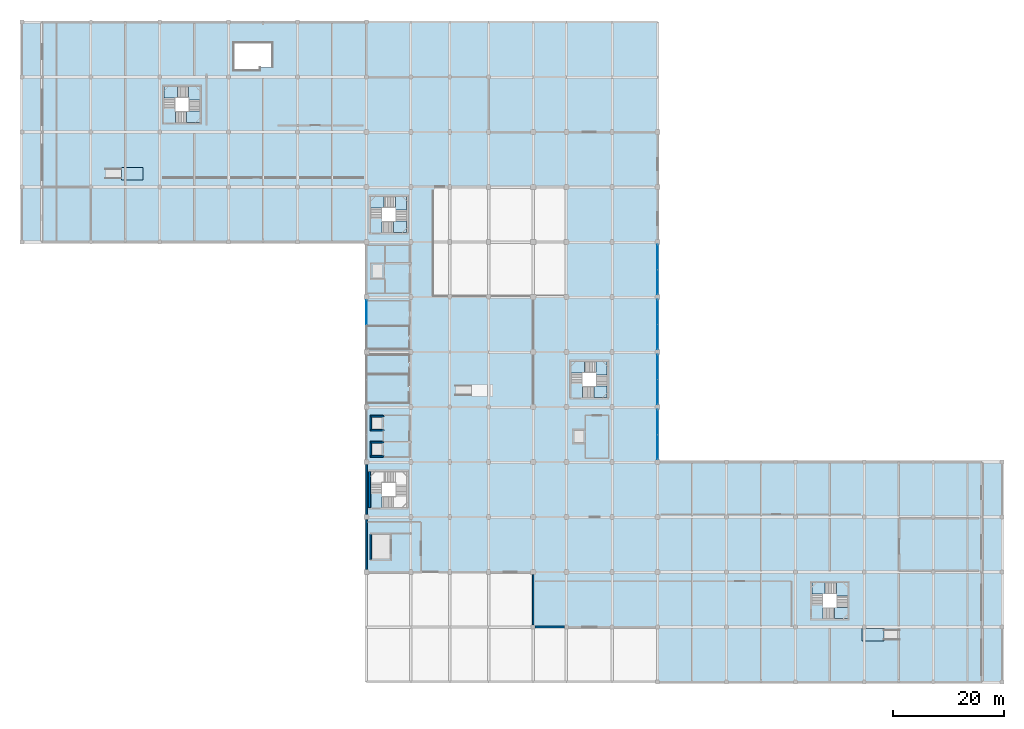
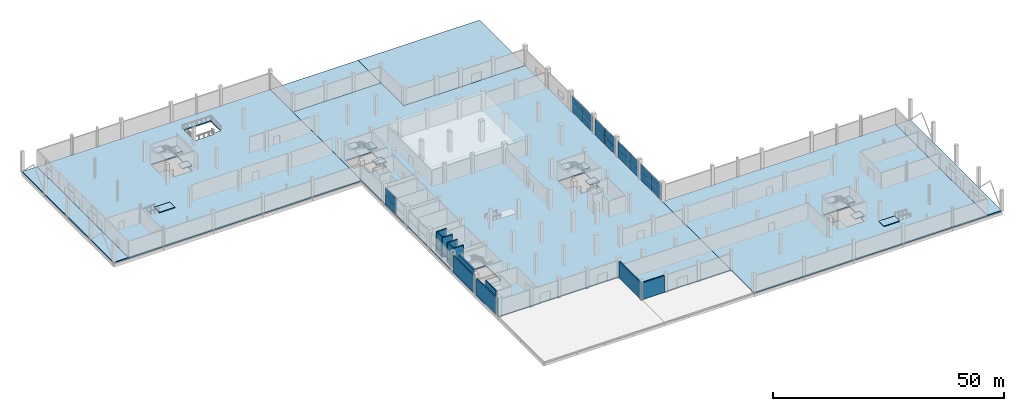
# One storey, part 19 of 50: 21 slabs, 18 plates, 12 walls, 9 elements without a shape of their own.
"""IFC4 building model written with IfcOpenShell, lengths in metres."""

from ifc_helpers import new_model, si_unit, direction, frame, frame_2d, origin, origin_2d, place, context, subcontext, project, spatial, polyline, rectangle, outline, extrude, material, layer, layer_set, type_object, element, aggregate, save


model = new_model("IFC4")

# Units and contexts
model_context = context("Model", 3, precision=1e-05, world=origin(), true_north=direction((0.0, 1.0)))
body_context = subcontext(model_context, "Body", "Model", "MODEL_VIEW")
ifc_project = project(units=[si_unit("LENGTHUNIT", "METRE"), si_unit("AREAUNIT", "SQUARE_METRE"), si_unit("VOLUMEUNIT", "CUBIC_METRE"), si_unit("PLANEANGLEUNIT", "RADIAN"), si_unit("MASSUNIT", "GRAM", prefix="KILO")], contexts=[model_context])

# Site, building, storey
site_placement = place(None, origin())
site = spatial("IfcSite", under=ifc_project, at=site_placement, CompositionType="ELEMENT")
building_placement = place(site_placement, origin())
building = spatial("IfcBuilding", under=site, at=building_placement, Name="Sillaruma Civic Art Gallery", CompositionType="ELEMENT")
storey_placement = place(building_placement, origin())
storey = spatial("IfcBuildingStorey", under=building, at=storey_placement, Name="L00", CompositionType="ELEMENT", Elevation=0.0)

# Curtain wall, plates
ifc_material_1 = material(Name="Thermally Broken Extruded Aluminium 6063-T6", Category="aluminium")
ifc_layer_1 = layer(ifc_material_1, 0.159912109375, Name="Thermally Broken Extruded Aluminium 6063-T6")
ifc_layer_set_1 = layer_set([ifc_layer_1], Name="Thermally Broken Extruded Aluminium 6063-T6")
curtain_wall_type_1 = type_object("IfcCurtainWallType", Name="CW-UNI-04", PredefinedType="NOTDEFINED", material=ifc_layer_set_1)
curtain_wall_1_placement = place(storey_placement, origin())
curtain_wall_1 = element("IfcCurtainWall", 1, at=curtain_wall_1_placement, inside=storey, type_object=curtain_wall_type_1, Name="Unitised Curtain Wall CW-04 (CW-L00-SPE-4)", PredefinedType="NOTDEFINED")
ifc_material_2 = material(Name="Low-E UV-Filtered Laminated Insulating Glass", Category="glass")
ifc_layer_2 = layer(ifc_material_2, 0.030029296875, Name="Low-E UV-Filtered Laminated Insulating Glass")
ifc_layer_set_2 = layer_set([ifc_layer_2], Name="Low-E UV-Filtered Laminated Insulating Glass")
plate_type_1 = type_object("IfcPlateType", Name="PNL-GLZ-30", PredefinedType="CURTAIN_PANEL", material=ifc_layer_set_2)
plate_1_placement = place(storey_placement, frame((114.39990234375, 52.21630859375, 0.06005859375), z_axis=(0.0, 0.0, 1.0), x_axis=(0.0, 1.0, 0.0)))
plate_1 = element("IfcPlate", 2, at=plate_1_placement, type_object=plate_type_1, Name="CW-04 panel 1.1", PredefinedType="CURTAIN_PANEL", context=body_context, shape_type="SweptSolid", body=[
    extrude(rectangle(XDim=4.402587890625, YDim=0.030029296875, at=origin_2d()), origin(), (0.0, 0.0, 1.0), 1.93408203125),
])
plate_2_placement = place(storey_placement, frame((114.39990234375, 52.21630859375, 2.05419921875), z_axis=(0.0, 0.0, 1.0), x_axis=(0.0, 1.0, 0.0)))
plate_2 = element("IfcPlate", 3, at=plate_2_placement, type_object=plate_type_1, Name="CW-04 panel 1.2", PredefinedType="CURTAIN_PANEL", context=body_context, shape_type="SweptSolid", body=[
    extrude(rectangle(XDim=4.402587890625, YDim=0.030029296875, at=origin_2d()), origin(), (0.0, 0.0, 1.0), 2.285888671875),
])
plate_3_placement = place(storey_placement, frame((114.39990234375, 56.683837890625, 0.06005859375), z_axis=(0.0, 0.0, 1.0), x_axis=(0.0, 1.0, 0.0)))
plate_3 = element("IfcPlate", 4, at=plate_3_placement, type_object=plate_type_1, Name="CW-04 panel 2.1", PredefinedType="CURTAIN_PANEL", context=body_context, shape_type="SweptSolid", body=[
    extrude(rectangle(XDim=4.402587890625, YDim=0.030029296875, at=origin_2d()), origin(), (0.0, 0.0, 1.0), 1.93408203125),
])
plate_4_placement = place(storey_placement, frame((114.39990234375, 56.683837890625, 2.05419921875), z_axis=(0.0, 0.0, 1.0), x_axis=(0.0, 1.0, 0.0)))
plate_4 = element("IfcPlate", 5, at=plate_4_placement, type_object=plate_type_1, Name="CW-04 panel 2.2", PredefinedType="CURTAIN_PANEL", context=body_context, shape_type="SweptSolid", body=[
    extrude(rectangle(XDim=4.402587890625, YDim=0.030029296875, at=origin_2d()), origin(), (0.0, 0.0, 1.0), 2.285888671875),
])
aggregate(curtain_wall_1, [plate_1, plate_2, plate_3, plate_4])

curtain_wall_2_placement = place(storey_placement, origin())
curtain_wall_2 = element("IfcCurtainWall", 6, at=curtain_wall_2_placement, inside=storey, type_object=curtain_wall_type_1, Name="Unitised Curtain Wall CW-04 (CW-L00-SPW-5)", PredefinedType="NOTDEFINED")
plate_5_placement = place(storey_placement, frame((62.0, 66.5712890625, 0.06005859375), z_axis=(0.0, 0.0, 1.0), x_axis=(0.0, 1.0, 0.0)))
plate_5 = element("IfcPlate", 7, at=plate_5_placement, type_object=plate_type_1, Name="CW-04 panel 2.1", PredefinedType="CURTAIN_PANEL", context=body_context, shape_type="SweptSolid", body=[
    extrude(rectangle(XDim=4.37744140625, YDim=0.030029296875, at=origin_2d()), origin(), (0.0, 0.0, 1.0), 1.93408203125),
])
plate_6_placement = place(storey_placement, frame((62.0, 66.5712890625, 2.05419921875), z_axis=(0.0, 0.0, 1.0), x_axis=(0.0, 1.0, 0.0)))
plate_6 = element("IfcPlate", 8, at=plate_6_placement, type_object=plate_type_1, Name="CW-04 panel 2.2", PredefinedType="CURTAIN_PANEL", context=body_context, shape_type="SweptSolid", body=[
    extrude(rectangle(XDim=4.37744140625, YDim=0.030029296875, at=origin_2d()), origin(), (0.0, 0.0, 1.0), 2.285888671875),
])
aggregate(curtain_wall_2, [plate_5, plate_6])

ifc_layer_3 = layer(ifc_material_1, 0.139892578125, Name="Thermally Broken Extruded Aluminium 6063-T6")
ifc_layer_set_3 = layer_set([ifc_layer_3], Name="Thermally Broken Extruded Aluminium 6063-T6")
curtain_wall_type_2 = type_object("IfcCurtainWallType", Name="CW-UNI-05", PredefinedType="NOTDEFINED", material=ifc_layer_set_3)
curtain_wall_3_placement = place(storey_placement, origin())
curtain_wall_3 = element("IfcCurtainWall", 9, at=curtain_wall_3_placement, inside=storey, type_object=curtain_wall_type_2, Name="Unitised Curtain Wall CW-05 (CW-L00-SPE-5)", PredefinedType="NOTDEFINED")
ifc_layer_4 = layer(ifc_material_2, 0.033935546875, Name="Low-E UV-Filtered Laminated Insulating Glass")
ifc_layer_set_4 = layer_set([ifc_layer_4], Name="Low-E UV-Filtered Laminated Insulating Glass")
plate_type_2 = type_object("IfcPlateType", Name="PNL-GLZ-34", PredefinedType="CURTAIN_PANEL", material=ifc_layer_set_4)
plate_7_placement = place(storey_placement, frame((114.39990234375, 62.114990234375, 0.06494140625), z_axis=(0.0, 0.0, 1.0), x_axis=(0.0, 1.0, 0.0)))
plate_7 = element("IfcPlate", 10, at=plate_7_placement, type_object=plate_type_2, Name="CW-05 panel 1.1", PredefinedType="CURTAIN_PANEL", context=body_context, shape_type="SweptSolid", body=[
    extrude(rectangle(XDim=4.409912109375, YDim=0.033935546875, at=origin_2d()), origin(), (0.0, 0.0, 1.0), 1.926513671875),
])
plate_8_placement = place(storey_placement, frame((114.39990234375, 62.114990234375, 2.056640625), z_axis=(0.0, 0.0, 1.0), x_axis=(0.0, 1.0, 0.0)))
plate_8 = element("IfcPlate", 11, at=plate_8_placement, type_object=plate_type_2, Name="CW-05 panel 1.2", PredefinedType="CURTAIN_PANEL", context=body_context, shape_type="SweptSolid", body=[
    extrude(rectangle(XDim=4.409912109375, YDim=0.033935546875, at=origin_2d()), origin(), (0.0, 0.0, 1.0), 2.278564453125),
])
plate_9_placement = place(storey_placement, frame((114.39990234375, 66.5849609375, 0.06494140625), z_axis=(0.0, 0.0, 1.0), x_axis=(0.0, 1.0, 0.0)))
plate_9 = element("IfcPlate", 12, at=plate_9_placement, type_object=plate_type_2, Name="CW-05 panel 2.1", PredefinedType="CURTAIN_PANEL", context=body_context, shape_type="SweptSolid", body=[
    extrude(rectangle(XDim=4.409912109375, YDim=0.033935546875, at=origin_2d()), origin(), (0.0, 0.0, 1.0), 1.926513671875),
])
plate_10_placement = place(storey_placement, frame((114.39990234375, 66.5849609375, 2.056640625), z_axis=(0.0, 0.0, 1.0), x_axis=(0.0, 1.0, 0.0)))
plate_10 = element("IfcPlate", 13, at=plate_10_placement, type_object=plate_type_2, Name="CW-05 panel 2.2", PredefinedType="CURTAIN_PANEL", context=body_context, shape_type="SweptSolid", body=[
    extrude(rectangle(XDim=4.409912109375, YDim=0.033935546875, at=origin_2d()), origin(), (0.0, 0.0, 1.0), 2.278564453125),
])
aggregate(curtain_wall_3, [plate_7, plate_8, plate_9, plate_10])

ifc_layer_5 = layer(ifc_material_1, 0.179931640625, Name="Thermally Broken Extruded Aluminium 6063-T6")
ifc_layer_set_5 = layer_set([ifc_layer_5], Name="Thermally Broken Extruded Aluminium 6063-T6")
curtain_wall_type_3 = type_object("IfcCurtainWallType", Name="CW-UNI-06", PredefinedType="NOTDEFINED", material=ifc_layer_set_5)
curtain_wall_4_placement = place(storey_placement, origin())
curtain_wall_4 = element("IfcCurtainWall", 14, at=curtain_wall_4_placement, inside=storey, type_object=curtain_wall_type_3, Name="Unitised Curtain Wall CW-06 (CW-L00-SPE-6)", PredefinedType="NOTDEFINED")
ifc_layer_6 = layer(ifc_material_2, 0.035888671875, Name="Low-E UV-Filtered Laminated Insulating Glass")
ifc_layer_set_6 = layer_set([ifc_layer_6], Name="Low-E UV-Filtered Laminated Insulating Glass")
plate_type_3 = type_object("IfcPlateType", Name="PNL-GLZ-36", PredefinedType="CURTAIN_PANEL", material=ifc_layer_set_6)
plate_11_placement = place(storey_placement, frame((114.39990234375, 72.017578125, 0.070068359375), z_axis=(0.0, 0.0, 1.0), x_axis=(0.0, 1.0, 0.0)))
plate_11 = element("IfcPlate", 15, at=plate_11_placement, type_object=plate_type_3, Name="CW-06 panel 1.1", PredefinedType="CURTAIN_PANEL", context=body_context, shape_type="SweptSolid", body=[
    extrude(rectangle(XDim=4.39501953125, YDim=0.035888671875, at=origin_2d()), origin(), (0.0, 0.0, 1.0), 1.9189453125),
])
plate_12_placement = place(storey_placement, frame((114.39990234375, 72.017578125, 2.05908203125), z_axis=(0.0, 0.0, 1.0), x_axis=(0.0, 1.0, 0.0)))
plate_12 = element("IfcPlate", 16, at=plate_12_placement, type_object=plate_type_3, Name="CW-06 panel 1.2", PredefinedType="CURTAIN_PANEL", context=body_context, shape_type="SweptSolid", body=[
    extrude(rectangle(XDim=4.39501953125, YDim=0.035888671875, at=origin_2d()), origin(), (0.0, 0.0, 1.0), 2.27099609375),
])
plate_13_placement = place(storey_placement, frame((114.39990234375, 76.482421875, 0.070068359375), z_axis=(0.0, 0.0, 1.0), x_axis=(0.0, 1.0, 0.0)))
plate_13 = element("IfcPlate", 17, at=plate_13_placement, type_object=plate_type_3, Name="CW-06 panel 2.1", PredefinedType="CURTAIN_PANEL", context=body_context, shape_type="SweptSolid", body=[
    extrude(rectangle(XDim=4.39501953125, YDim=0.035888671875, at=origin_2d()), origin(), (0.0, 0.0, 1.0), 1.9189453125),
])
plate_14_placement = place(storey_placement, frame((114.39990234375, 76.482421875, 2.05908203125), z_axis=(0.0, 0.0, 1.0), x_axis=(0.0, 1.0, 0.0)))
plate_14 = element("IfcPlate", 18, at=plate_14_placement, type_object=plate_type_3, Name="CW-06 panel 2.2", PredefinedType="CURTAIN_PANEL", context=body_context, shape_type="SweptSolid", body=[
    extrude(rectangle(XDim=4.39501953125, YDim=0.035888671875, at=origin_2d()), origin(), (0.0, 0.0, 1.0), 2.27099609375),
])
aggregate(curtain_wall_4, [plate_11, plate_12, plate_13, plate_14])

ifc_layer_7 = layer(ifc_material_1, 0.179931640625, Name="Thermally Broken Extruded Aluminium 6063-T6")
ifc_layer_set_7 = layer_set([ifc_layer_7], Name="Thermally Broken Extruded Aluminium 6063-T6")
curtain_wall_type_4 = type_object("IfcCurtainWallType", Name="CW-UNI-02", PredefinedType="NOTDEFINED", material=ifc_layer_set_7)
curtain_wall_5_placement = place(storey_placement, origin())
curtain_wall_5 = element("IfcCurtainWall", 19, at=curtain_wall_5_placement, inside=storey, type_object=curtain_wall_type_4, Name="Unitised Curtain Wall CW-02 (CW-L00-SPE-3)", PredefinedType="NOTDEFINED")
ifc_layer_8 = layer(ifc_material_2, 0.0400390625, Name="Low-E UV-Filtered Laminated Insulating Glass")
ifc_layer_set_8 = layer_set([ifc_layer_8], Name="Low-E UV-Filtered Laminated Insulating Glass")
plate_type_4 = type_object("IfcPlateType", Name="PNL-GLZ-40", PredefinedType="CURTAIN_PANEL", material=ifc_layer_set_8)
plate_15_placement = place(storey_placement, frame((114.39990234375, 42.3173828125, 0.06494140625), z_axis=(0.0, 0.0, 1.0), x_axis=(0.0, 1.0, 0.0)))
plate_15 = element("IfcPlate", 20, at=plate_15_placement, type_object=plate_type_4, Name="CW-02 panel 1.1", PredefinedType="CURTAIN_PANEL", context=body_context, shape_type="SweptSolid", body=[
    extrude(rectangle(XDim=4.39501953125, YDim=0.0400390625, at=origin_2d()), origin(), (0.0, 0.0, 1.0), 1.926513671875),
])
plate_16_placement = place(storey_placement, frame((114.39990234375, 42.3173828125, 2.056640625), z_axis=(0.0, 0.0, 1.0), x_axis=(0.0, 1.0, 0.0)))
plate_16 = element("IfcPlate", 21, at=plate_16_placement, type_object=plate_type_4, Name="CW-02 panel 1.2", PredefinedType="CURTAIN_PANEL", context=body_context, shape_type="SweptSolid", body=[
    extrude(rectangle(XDim=4.39501953125, YDim=0.0400390625, at=origin_2d()), origin(), (0.0, 0.0, 1.0), 2.278564453125),
])
plate_17_placement = place(storey_placement, frame((114.39990234375, 46.782470703125, 0.06494140625), z_axis=(0.0, 0.0, 1.0), x_axis=(0.0, 1.0, 0.0)))
plate_17 = element("IfcPlate", 22, at=plate_17_placement, type_object=plate_type_4, Name="CW-02 panel 2.1", PredefinedType="CURTAIN_PANEL", context=body_context, shape_type="SweptSolid", body=[
    extrude(rectangle(XDim=4.39501953125, YDim=0.0400390625, at=origin_2d()), origin(), (0.0, 0.0, 1.0), 1.926513671875),
])
plate_18_placement = place(storey_placement, frame((114.39990234375, 46.782470703125, 2.056640625), z_axis=(0.0, 0.0, 1.0), x_axis=(0.0, 1.0, 0.0)))
plate_18 = element("IfcPlate", 23, at=plate_18_placement, type_object=plate_type_4, Name="CW-02 panel 2.2", PredefinedType="CURTAIN_PANEL", context=body_context, shape_type="SweptSolid", body=[
    extrude(rectangle(XDim=4.39501953125, YDim=0.0400390625, at=origin_2d()), origin(), (0.0, 0.0, 1.0), 2.278564453125),
])
aggregate(curtain_wall_5, [plate_15, plate_16, plate_17, plate_18])

# Slabs
ifc_material_3 = material(Name="Concrete H35 (35 MPa)", Category="concrete")
ifc_layer_9 = layer(ifc_material_3, 0.280029296875, Name="Concrete H35 (35 MPa)")
ifc_layer_set_9 = layer_set([ifc_layer_9], Name="Concrete H35 (35 MPa)")
slab_type_1 = type_object("IfcSlabType", Name="SLB-EXT-280", PredefinedType="FLOOR", material=ifc_layer_set_9)
slab_1_placement = place(storey_placement, frame((0.0, 0.0, -0.280029296875)))
element("IfcSlab", 24, at=slab_1_placement, inside=storey, type_object=slab_type_1, Name="North-East Pasaje Plaza (SLB-L00-PNNE)", PredefinedType="FLOOR", context=body_context, shape_type="SweptSolid", body=[
    extrude(outline(polyline([(84.0, 99.0), (114.39990234375, 99.0), (114.39990234375, 118.800048828125), (84.0, 118.800048828125), (84.0, 99.0)])), origin(), (0.0, 0.0, 1.0), 0.280029296875),
])
slab_2_placement = place(storey_placement, frame((0.0, 0.0, -0.280029296875)))
element("IfcSlab", 25, at=slab_2_placement, inside=storey, type_object=slab_type_1, Name="North-West Pasaje Plaza (SLB-L00-PNNW)", PredefinedType="FLOOR", context=body_context, shape_type="SweptSolid", body=[
    extrude(outline(polyline([(62.0, 108.89990234375), (84.0, 108.89990234375), (84.0, 118.800048828125), (62.0, 118.800048828125), (62.0, 108.89990234375)])), origin(), (0.0, 0.0, 1.0), 0.280029296875),
])
ifc_layer_10 = layer(ifc_material_3, 0.300048828125, Name="Concrete H35 (35 MPa)")
ifc_layer_set_10 = layer_set([ifc_layer_10], Name="Concrete H35 (35 MPa)")
slab_type_2 = type_object("IfcSlabType", Name="SLB-EXT-300", PredefinedType="FLOOR", material=ifc_layer_set_10)
slab_3_placement = place(storey_placement, frame((0.0, 0.0, -0.300048828125)))
element("IfcSlab", 26, at=slab_3_placement, inside=storey, type_object=slab_type_2, Name="West Street Entrance Forecourt (SLB-L00-FCW)", PredefinedType="FLOOR", context=body_context, shape_type="SweptSolid", body=[
    extrude(outline(polyline([(0.0, 79.199951171875), (3.699951171875, 79.199951171875), (3.699951171875, 118.800048828125), (0.0, 118.800048828125), (0.0, 79.199951171875)])), origin(), (0.0, 0.0, 1.0), 0.300048828125),
])
slab_4_placement = place(storey_placement, frame((0.0, 0.0, -0.300048828125)))
element("IfcSlab", 27, at=slab_4_placement, inside=storey, type_object=slab_type_2, Name="East Street Entrance Forecourt (SLB-L00-FCE)", PredefinedType="FLOOR", context=body_context, shape_type="SweptSolid", body=[
    extrude(outline(polyline([(172.699951171875, 0.0), (176.39990234375, 0.0), (176.39990234375, 39.60009765625), (172.699951171875, 39.60009765625), (172.699951171875, 0.0)])), origin(), (0.0, 0.0, 1.0), 0.300048828125),
])
ifc_layer_11 = layer(ifc_material_3, 0.300048828125, Name="Concrete H35 (35 MPa)")
ifc_layer_set_11 = layer_set([ifc_layer_11], Name="Concrete H35 (35 MPa)")
slab_type_3 = type_object("IfcSlabType", Name="SLB-FLR-300", PredefinedType="FLOOR", material=ifc_layer_set_11)
slab_5_placement = place(storey_placement, frame((0.0, 0.0, -0.300048828125)))
element("IfcSlab", 28, at=slab_5_placement, inside=storey, type_object=slab_type_3, Name="Floor Slab SF-300 (SLB-L00-WEST)", PredefinedType="FLOOR", context=body_context, shape_type="SweptSolid", body=[
    extrude(outline(polyline([(3.699951171875, 79.199951171875), (62.0, 79.199951171875), (62.0, 118.800048828125), (3.699951171875, 118.800048828125), (3.699951171875, 79.199951171875)]), holes=[polyline([(27.614990234375, 100.699951171875), (32.0400390625, 100.699951171875), (32.0400390625, 107.179931640625), (25.56005859375, 107.179931640625), (25.56005859375, 103.705078125), (27.614990234375, 103.705078125), (27.614990234375, 100.699951171875)]), polyline([(38.199951171875, 110.199951171875), (42.919921875, 110.199951171875), (42.919921875, 110.655029296875), (44.9599609375, 110.655029296875), (44.9599609375, 115.0), (38.199951171875, 115.0), (38.199951171875, 110.199951171875)])]), origin(), (0.0, 0.0, 1.0), 0.300048828125),
])
slab_6_placement = place(storey_placement, frame((0.0, 0.0, -0.300048828125)))
element("IfcSlab", 29, at=slab_6_placement, inside=storey, type_object=slab_type_3, Name="Floor Slab SF-300 (SLB-L00-CENT)", PredefinedType="FLOOR", context=body_context, shape_type="SweptSolid", body=[
    extrude(outline(polyline([(92.0, 9.89990234375), (114.39990234375, 9.89990234375), (114.39990234375, 99.0), (84.0, 99.0), (84.0, 108.89990234375), (62.0, 108.89990234375), (62.0, 19.800048828125), (92.0, 19.800048828125), (92.0, 9.89990234375)]), holes=[polyline([(64.81494140625, 80.909912109375), (69.239990234375, 80.909912109375), (69.239990234375, 87.389892578125), (62.760009765625, 87.389892578125), (62.760009765625, 83.9150390625), (64.81494140625, 83.9150390625), (64.81494140625, 80.909912109375)]), polyline([(64.81494140625, 31.409912109375), (69.239990234375, 31.409912109375), (69.239990234375, 37.889892578125), (62.760009765625, 37.889892578125), (62.760009765625, 34.4150390625), (64.81494140625, 34.4150390625), (64.81494140625, 31.409912109375)]), polyline([(100.9150390625, 51.2099609375), (105.340087890625, 51.2099609375), (105.340087890625, 57.68994140625), (98.860107421875, 57.68994140625), (98.860107421875, 54.215087890625), (100.9150390625, 54.215087890625), (100.9150390625, 51.2099609375)])]), origin(), (0.0, 0.0, 1.0), 0.300048828125),
])
slab_7_placement = place(storey_placement, frame((0.0, 0.0, -0.300048828125)))
element("IfcSlab", 30, at=slab_7_placement, inside=storey, type_object=slab_type_3, Name="Floor Slab SF-300 (SLB-L00-EAST)", PredefinedType="FLOOR", context=body_context, shape_type="SweptSolid", body=[
    extrude(outline(polyline([(114.39990234375, 0.0), (172.699951171875, 0.0), (172.699951171875, 39.60009765625), (114.39990234375, 39.60009765625), (114.39990234375, 0.0)]), holes=[polyline([(144.215087890625, 11.39990234375), (148.639892578125, 11.39990234375), (148.639892578125, 17.8798828125), (142.159912109375, 17.8798828125), (142.159912109375, 14.405029296875), (144.215087890625, 14.405029296875), (144.215087890625, 11.39990234375)])]), origin(), (0.0, 0.0, 1.0), 0.300048828125),
])

# Stair, slabs
stair_type = type_object("IfcStairType", Name="STR-4F-32", PredefinedType="USERDEFINED", material=ifc_material_3)
stair_1_placement = place(storey_placement, origin())
stair_1 = element("IfcStair", 31, at=stair_1_placement, inside=storey, type_object=stair_type, Name="Protected Exit Stair ST-01 (West Wing) (L00)", ObjectType="THREE_RETURN_STAIR", PredefinedType="USERDEFINED")
ifc_layer_12 = layer(ifc_material_3, 0.199951171875, Name="Concrete H35 (35 MPa)")
ifc_layer_set_12 = layer_set([ifc_layer_12], Name="Concrete H35 (35 MPa)")
slab_type_4 = type_object("IfcSlabType", Name="SLB-LND-200", PredefinedType="LANDING", material=ifc_layer_set_12)
slab_8_placement = place(storey_placement, frame((0.0, 0.0, 1.159912109375)))
slab_8 = element("IfcSlab", 32, at=slab_8_placement, type_object=slab_type_4, Name="ST-01 landing 1", PredefinedType="LANDING", context=body_context, shape_type="SweptSolid", body=[
    extrude(outline(polyline([(29.6298828125, 100.699951171875), (32.0400390625, 100.699951171875), (32.0400390625, 102.739990234375), (29.6298828125, 102.739990234375), (29.6298828125, 100.699951171875)])), origin(), (0.0, 0.0, 1.0), 0.2001953125),
])
slab_9_placement = place(storey_placement, frame((0.0, 0.0, 2.52001953125)))
slab_9 = element("IfcSlab", 33, at=slab_9_placement, type_object=slab_type_4, Name="ST-01 landing 2", PredefinedType="LANDING", context=body_context, shape_type="SweptSolid", body=[
    extrude(outline(polyline([(30.0, 104.77001953125), (32.0400390625, 104.77001953125), (32.0400390625, 107.179931640625), (30.0, 107.179931640625), (30.0, 104.77001953125)])), origin(), (0.0, 0.0, 1.0), 0.199951171875),
])
slab_10_placement = place(storey_placement, frame((0.0, 0.0, 3.8798828125)))
slab_10 = element("IfcSlab", 34, at=slab_10_placement, type_object=slab_type_4, Name="ST-01 landing 3", PredefinedType="LANDING", context=body_context, shape_type="SweptSolid", body=[
    extrude(outline(polyline([(25.56005859375, 105.139892578125), (27.969970703125, 105.139892578125), (27.969970703125, 107.179931640625), (25.56005859375, 107.179931640625), (25.56005859375, 105.139892578125)])), origin(), (0.0, 0.0, 1.0), 0.2001953125),
])
aggregate(stair_1, [slab_8, slab_9, slab_10])

stair_2_placement = place(storey_placement, origin())
stair_2 = element("IfcStair", 35, at=stair_2_placement, inside=storey, type_object=stair_type, Name="Protected Exit Stair ST-02 (West Bar North) (L00)", ObjectType="THREE_RETURN_STAIR", PredefinedType="USERDEFINED")
slab_11_placement = place(storey_placement, frame((0.0, 0.0, 1.159912109375)))
slab_11 = element("IfcSlab", 36, at=slab_11_placement, type_object=slab_type_4, Name="ST-02 landing 1", PredefinedType="LANDING", context=body_context, shape_type="SweptSolid", body=[
    extrude(outline(polyline([(66.830078125, 80.909912109375), (69.239990234375, 80.909912109375), (69.239990234375, 82.949951171875), (66.830078125, 82.949951171875), (66.830078125, 80.909912109375)])), origin(), (0.0, 0.0, 1.0), 0.2001953125),
])
slab_12_placement = place(storey_placement, frame((0.0, 0.0, 2.52001953125)))
slab_12 = element("IfcSlab", 37, at=slab_12_placement, type_object=slab_type_4, Name="ST-02 landing 2", PredefinedType="LANDING", context=body_context, shape_type="SweptSolid", body=[
    extrude(outline(polyline([(67.199951171875, 84.97998046875), (69.239990234375, 84.97998046875), (69.239990234375, 87.389892578125), (67.199951171875, 87.389892578125), (67.199951171875, 84.97998046875)])), origin(), (0.0, 0.0, 1.0), 0.199951171875),
])
slab_13_placement = place(storey_placement, frame((0.0, 0.0, 3.8798828125)))
slab_13 = element("IfcSlab", 38, at=slab_13_placement, type_object=slab_type_4, Name="ST-02 landing 3", PredefinedType="LANDING", context=body_context, shape_type="SweptSolid", body=[
    extrude(outline(polyline([(62.760009765625, 85.35009765625), (65.169921875, 85.35009765625), (65.169921875, 87.389892578125), (62.760009765625, 87.389892578125), (62.760009765625, 85.35009765625)])), origin(), (0.0, 0.0, 1.0), 0.2001953125),
])
aggregate(stair_2, [slab_11, slab_12, slab_13])

stair_3_placement = place(storey_placement, origin())
stair_3 = element("IfcStair", 39, at=stair_3_placement, inside=storey, type_object=stair_type, Name="Protected Exit Stair ST-04 (East Bar) (L00)", ObjectType="THREE_RETURN_STAIR", PredefinedType="USERDEFINED")
slab_14_placement = place(storey_placement, frame((0.0, 0.0, 1.159912109375)))
slab_14 = element("IfcSlab", 40, at=slab_14_placement, type_object=slab_type_4, Name="ST-04 landing 1", PredefinedType="LANDING", context=body_context, shape_type="SweptSolid", body=[
    extrude(outline(polyline([(102.929931640625, 51.2099609375), (105.340087890625, 51.2099609375), (105.340087890625, 53.25), (102.929931640625, 53.25), (102.929931640625, 51.2099609375)])), origin(), (0.0, 0.0, 1.0), 0.2001953125),
])
slab_15_placement = place(storey_placement, frame((0.0, 0.0, 2.52001953125)))
slab_15 = element("IfcSlab", 41, at=slab_15_placement, type_object=slab_type_4, Name="ST-04 landing 2", PredefinedType="LANDING", context=body_context, shape_type="SweptSolid", body=[
    extrude(outline(polyline([(103.300048828125, 55.280029296875), (105.340087890625, 55.280029296875), (105.340087890625, 57.68994140625), (103.300048828125, 57.68994140625), (103.300048828125, 55.280029296875)])), origin(), (0.0, 0.0, 1.0), 0.199951171875),
])
slab_16_placement = place(storey_placement, frame((0.0, 0.0, 3.8798828125)))
slab_16 = element("IfcSlab", 42, at=slab_16_placement, type_object=slab_type_4, Name="ST-04 landing 3", PredefinedType="LANDING", context=body_context, shape_type="SweptSolid", body=[
    extrude(outline(polyline([(98.860107421875, 55.64990234375), (101.27001953125, 55.64990234375), (101.27001953125, 57.68994140625), (98.860107421875, 57.68994140625), (98.860107421875, 55.64990234375)])), origin(), (0.0, 0.0, 1.0), 0.2001953125),
])
aggregate(stair_3, [slab_14, slab_15, slab_16])

stair_4_placement = place(storey_placement, origin())
stair_4 = element("IfcStair", 43, at=stair_4_placement, inside=storey, type_object=stair_type, Name="Protected Exit Stair ST-05 (East Wing) (L00)", ObjectType="THREE_RETURN_STAIR", PredefinedType="USERDEFINED")
slab_17_placement = place(storey_placement, frame((0.0, 0.0, 1.159912109375)))
slab_17 = element("IfcSlab", 44, at=slab_17_placement, type_object=slab_type_4, Name="ST-05 landing 1", PredefinedType="LANDING", context=body_context, shape_type="SweptSolid", body=[
    extrude(outline(polyline([(146.22998046875, 11.39990234375), (148.639892578125, 11.39990234375), (148.639892578125, 13.43994140625), (146.22998046875, 13.43994140625), (146.22998046875, 11.39990234375)])), origin(), (0.0, 0.0, 1.0), 0.2001953125),
])
slab_18_placement = place(storey_placement, frame((0.0, 0.0, 2.52001953125)))
slab_18 = element("IfcSlab", 45, at=slab_18_placement, type_object=slab_type_4, Name="ST-05 landing 2", PredefinedType="LANDING", context=body_context, shape_type="SweptSolid", body=[
    extrude(outline(polyline([(146.60009765625, 15.469970703125), (148.639892578125, 15.469970703125), (148.639892578125, 17.8798828125), (146.60009765625, 17.8798828125), (146.60009765625, 15.469970703125)])), origin(), (0.0, 0.0, 1.0), 0.199951171875),
])
slab_19_placement = place(storey_placement, frame((0.0, 0.0, 3.8798828125)))
slab_19 = element("IfcSlab", 46, at=slab_19_placement, type_object=slab_type_4, Name="ST-05 landing 3", PredefinedType="LANDING", context=body_context, shape_type="SweptSolid", body=[
    extrude(outline(polyline([(142.159912109375, 15.840087890625), (144.570068359375, 15.840087890625), (144.570068359375, 17.8798828125), (142.159912109375, 17.8798828125), (142.159912109375, 15.840087890625)])), origin(), (0.0, 0.0, 1.0), 0.2001953125),
])
aggregate(stair_4, [slab_17, slab_18, slab_19])

# Slabs
ifc_layer_13 = layer(ifc_material_3, 0.179931640625, Name="Concrete H35 (35 MPa)")
ifc_layer_set_13 = layer_set([ifc_layer_13], Name="Concrete H35 (35 MPa)")
slab_type_5 = type_object("IfcSlabType", Name="SLB-PLN-180", PredefinedType="FLOOR", material=ifc_layer_set_13)
slab_20_placement = place(storey_placement, origin())
element("IfcSlab", 47, at=slab_20_placement, inside=storey, type_object=slab_type_5, Name="Gallery Accessible Plinth Deck (RMP-W1)", PredefinedType="FLOOR", context=body_context, shape_type="SweptSolid", body=[
    extrude(outline(polyline([(17.8798828125, 90.39990234375), (21.800048828125, 90.39990234375), (21.800048828125, 92.60009765625), (17.8798828125, 92.60009765625), (17.8798828125, 90.39990234375)])), origin(), (0.0, 0.0, 1.0), 0.179931640625),
])
slab_21_placement = place(storey_placement, origin())
element("IfcSlab", 48, at=slab_21_placement, inside=storey, type_object=slab_type_5, Name="Gallery Accessible Plinth Deck (RMP-E1)", PredefinedType="FLOOR", context=body_context, shape_type="SweptSolid", body=[
    extrude(outline(polyline([(151.199951171875, 7.39990234375), (155.1201171875, 7.39990234375), (155.1201171875, 9.60009765625), (151.199951171875, 9.60009765625), (151.199951171875, 7.39990234375)])), origin(), (0.0, 0.0, 1.0), 0.179931640625),
])

# Walls
ifc_material_4 = material(Name="Concrete H40 (40 MPa)", Category="concrete")
ifc_layer_14 = layer(ifc_material_4, 0.35009765625, Name="Concrete H40 (40 MPa)")
ifc_layer_set_14 = layer_set([ifc_layer_14], Name="Concrete H40 (40 MPa)")
wall_type_1 = type_object("IfcWallType", Name="WAL-CORE-350", PredefinedType="SHEAR", material=ifc_layer_set_14)
wall_1_placement = place(storey_placement, frame((62.5849609375, 31.409912109375, 0.0), z_axis=(0.0, 0.0, 1.0), x_axis=(0.0, 1.0, 0.0)))
element("IfcWall", 49, at=wall_1_placement, inside=storey, type_object=wall_type_1, Name="Stair Core Shear Wall W-CORE-350 (ST-03:L00:W)", PredefinedType="SHEAR", context=body_context, shape_type="SweptSolid", body=[
    extrude(rectangle(XDim=6.47998046875, YDim=0.35009765625, at=frame_2d((3.239990234375, 0.0))), origin(), (0.0, 0.0, 1.0), 5.179931640625),
])
ifc_layer_15 = layer(ifc_material_3, 0.159912109375, Name="Concrete backup", Category="concrete")
ifc_material_5 = material(Name="Mineral Wool Thermal Insulation", Category="insulation")
ifc_layer_16 = layer(ifc_material_5, 0.090087890625, Name="Thermal insulation", Category="insulation")
ifc_material_6 = material(Name="Anodised Zinc-Aluminium Alloy", Category="aluminium")
ifc_layer_17 = layer(ifc_material_6, 0.030029296875, Name="Rainscreen finish", Category="aluminium")
ifc_layer_set_15 = layer_set([ifc_layer_15, ifc_layer_16, ifc_layer_17], Name="W-EXT-280")
wall_type_2 = type_object("IfcWallType", Name="WAL-EXT-280", PredefinedType="SOLIDWALL", material=ifc_layer_set_15)
wall_2_placement = place(storey_placement, frame((62.0, 20.27490234375, 0.0), z_axis=(0.0, 0.0, 1.0), x_axis=(0.0, 1.0, 0.0)))
element("IfcWall", 50, at=wall_2_placement, inside=storey, type_object=wall_type_2, Name="Exterior Wall W-EXT-280 (EW-L00-SPW-1)", PredefinedType="SOLIDWALL", context=body_context, shape_type="SweptSolid", body=[
    extrude(rectangle(XDim=8.9501953125, YDim=0.280029296875, at=frame_2d((4.47509765625, 0.0))), origin(), (0.0, 0.0, 1.0), 4.39990234375),
])
wall_3_placement = place(storey_placement, frame((62.0, 30.175048828125, 0.0), z_axis=(0.0, 0.0, 1.0), x_axis=(0.0, 1.0, 0.0)))
element("IfcWall", 51, at=wall_3_placement, inside=storey, type_object=wall_type_2, Name="Exterior Wall W-EXT-280 (EW-L00-SPW-2)", PredefinedType="SOLIDWALL", context=body_context, shape_type="SweptSolid", body=[
    extrude(rectangle(XDim=8.949951171875, YDim=0.280029296875, at=frame_2d((4.47509765625, 0.0))), origin(), (0.0, 0.0, 1.0), 4.39990234375),
])
ifc_material_7 = material(Name="Precast Concrete H35 (35 MPa)", Category="concrete")
ifc_layer_18 = layer(ifc_material_7, 0.179931640625, Name="Precast backup", Category="concrete")
ifc_layer_19 = layer(ifc_material_5, 0.090087890625, Name="Thermal insulation", Category="insulation")
ifc_material_8 = material(Name="Comanche Granitic Ashlar Stone", Category="masonry")
ifc_layer_20 = layer(ifc_material_8, 0.030029296875, Name="Rainscreen cladding", Category="masonry")
ifc_layer_set_16 = layer_set([ifc_layer_18, ifc_layer_19, ifc_layer_20], Name="W-EXT-300")
wall_type_3 = type_object("IfcWallType", Name="WAL-EXT-300", PredefinedType="SOLIDWALL", material=ifc_layer_set_16)
wall_4_placement = place(storey_placement, frame((92.0, 10.25, 0.0), z_axis=(0.0, 0.0, 1.0), x_axis=(0.0, 1.0, 0.0)))
element("IfcWall", 52, at=wall_4_placement, inside=storey, type_object=wall_type_3, Name="Exterior Wall W-EXT-300 (EW-L00-PSW-E)", PredefinedType="SOLIDWALL", context=body_context, shape_type="SweptSolid", body=[
    extrude(rectangle(XDim=9.074951171875, YDim=0.300048828125, at=frame_2d((4.53759765625, 0.0))), origin(), (0.0, 0.0, 1.0), 4.39990234375),
])
wall_5_placement = place(storey_placement, frame((92.35009765625, 9.89990234375, 0.0), z_axis=(0.0, 0.0, 1.0), x_axis=(1.0, 0.0, 0.0)))
element("IfcWall", 53, at=wall_5_placement, inside=storey, type_object=wall_type_3, Name="Exterior Wall W-EXT-300 (EW-L00-PSE-KL)", PredefinedType="SOLIDWALL", context=body_context, shape_type="SweptSolid", body=[
    extrude(rectangle(XDim=5.2998046875, YDim=0.300048828125, at=frame_2d((2.64990234375, 0.0))), origin(), (0.0, 0.0, 1.0), 4.39990234375),
])
ifc_layer_21 = layer(ifc_material_4, 0.25, Name="Concrete H40 (40 MPa)")
ifc_layer_set_17 = layer_set([ifc_layer_21], Name="Concrete H40 (40 MPa)")
wall_type_4 = type_object("IfcWallType", Name="WAL-SHAFT-250", PredefinedType="SOLIDWALL", material=ifc_layer_set_17)
for number, where, z_axis, x_axis, name in (
    (54, (62.64990234375, 40.625, 0.0), (0.0, 0.0, 1.0), (1.0, 0.0, 0.0), "Lift Shaft Wall W-SHAFT-250 (PL-01:L00:S)"),
    (55, (62.64990234375, 43.175048828125, 0.0), (0.0, 0.0, 1.0), (1.0, 0.0, 0.0), "Lift Shaft Wall W-SHAFT-250 (PL-01:L00:N)"),
):
    element("IfcWall", number, at=place(storey_placement, frame(where, z_axis=z_axis, x_axis=x_axis)), inside=storey, type_object=wall_type_4, Name=name, PredefinedType="SOLIDWALL", context=body_context, shape_type="SweptSolid", body=[
        extrude(rectangle(XDim=2.5, YDim=0.25, at=frame_2d((1.25, 0.0))), origin(), (0.0, 0.0, 1.0), 5.159912109375),
    ])
wall_6_placement = place(storey_placement, frame((62.77490234375, 40.75, 0.0), z_axis=(0.0, 0.0, 1.0), x_axis=(0.0, 1.0, 0.0)))
element("IfcWall", 56, at=wall_6_placement, inside=storey, type_object=wall_type_4, Name="Lift Shaft Wall W-SHAFT-250 (PL-01:L00:W)", PredefinedType="SOLIDWALL", context=body_context, shape_type="SweptSolid", body=[
    extrude(rectangle(XDim=2.300048828125, YDim=0.25, at=frame_2d((1.14990234375, 0.0))), origin(), (0.0, 0.0, 1.0), 5.159912109375),
])
for number, where, z_axis, x_axis, name in (
    (57, (62.64990234375, 45.324951171875, 0.0), (0.0, 0.0, 1.0), (1.0, 0.0, 0.0), "Lift Shaft Wall W-SHAFT-250 (PL-02:L00:S)"),
    (58, (62.64990234375, 47.875, 0.0), (0.0, 0.0, 1.0), (1.0, 0.0, 0.0), "Lift Shaft Wall W-SHAFT-250 (PL-02:L00:N)"),
):
    element("IfcWall", number, at=place(storey_placement, frame(where, z_axis=z_axis, x_axis=x_axis)), inside=storey, type_object=wall_type_4, Name=name, PredefinedType="SOLIDWALL", context=body_context, shape_type="SweptSolid", body=[
        extrude(rectangle(XDim=2.5, YDim=0.25, at=frame_2d((1.25, 0.0))), origin(), (0.0, 0.0, 1.0), 5.159912109375),
    ])
wall_7_placement = place(storey_placement, frame((62.77490234375, 45.449951171875, 0.0), z_axis=(0.0, 0.0, 1.0), x_axis=(0.0, 1.0, 0.0)))
element("IfcWall", 59, at=wall_7_placement, inside=storey, type_object=wall_type_4, Name="Lift Shaft Wall W-SHAFT-250 (PL-02:L00:W)", PredefinedType="SOLIDWALL", context=body_context, shape_type="SweptSolid", body=[
    extrude(rectangle(XDim=2.300048828125, YDim=0.25, at=frame_2d((1.14990234375, 0.0))), origin(), (0.0, 0.0, 1.0), 5.159912109375),
])
wall_8_placement = place(storey_placement, frame((62.77490234375, 22.050048828125, 0.0), z_axis=(0.0, 0.0, 1.0), x_axis=(0.0, 1.0, 0.0)))
element("IfcWall", 60, at=wall_8_placement, inside=storey, type_object=wall_type_4, Name="Lift Shaft Wall W-SHAFT-250 (GL-01:L00:W)", PredefinedType="SOLIDWALL", context=body_context, shape_type="SweptSolid", body=[
    extrude(rectangle(XDim=4.599853515625, YDim=0.25, at=frame_2d((2.2998046875, 0.0))), origin(), (0.0, 0.0, 1.0), 5.159912109375),
])

save(model, "model.ifc")
